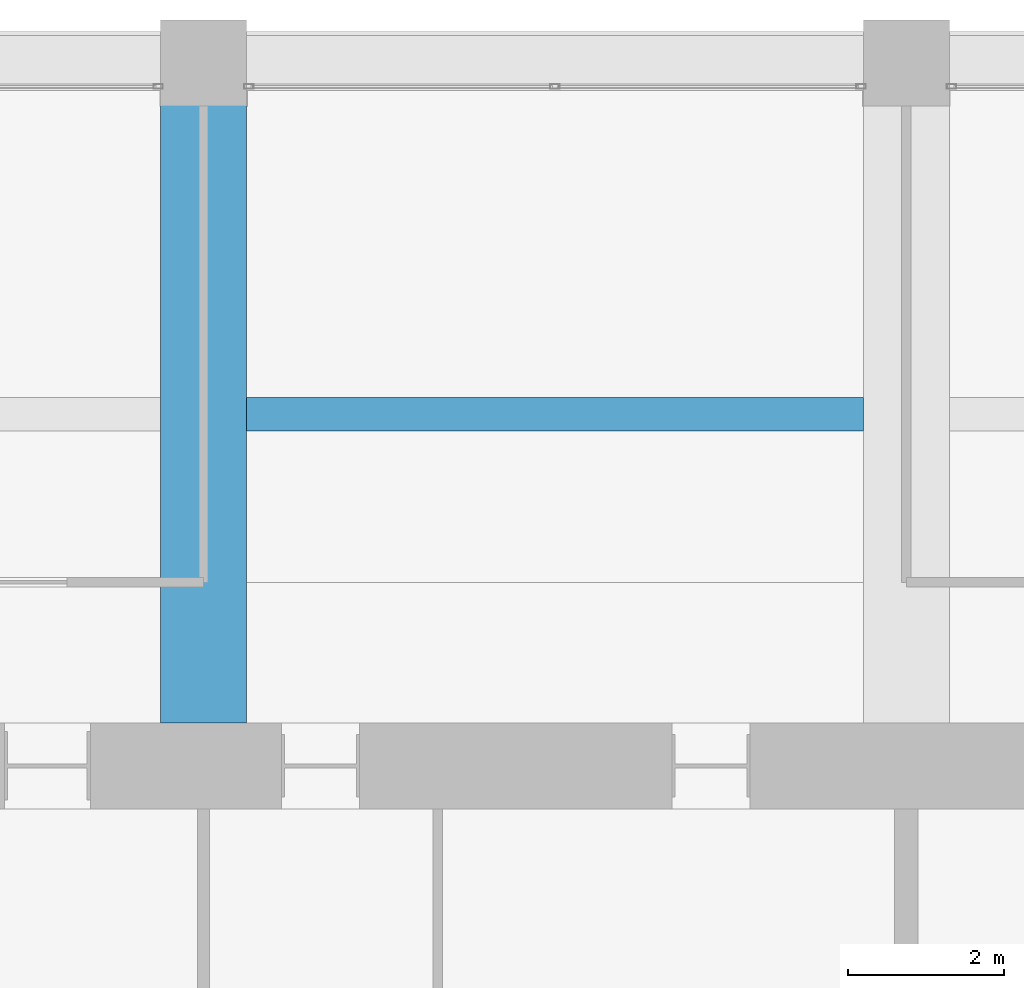
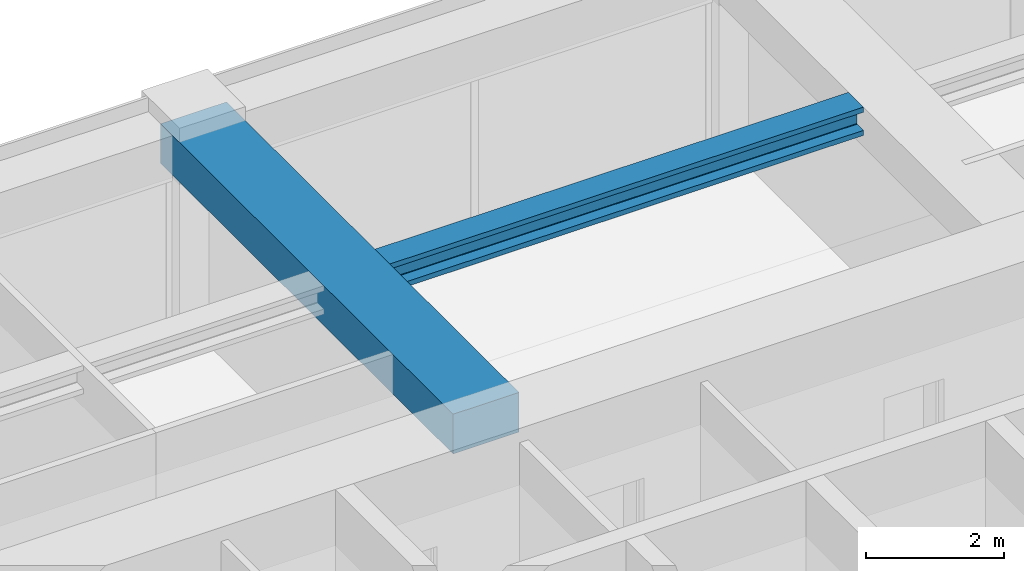
# One storey, part 32 of 44: 2 beams.
"""IFC4 building model written with IfcOpenShell, lengths in metres."""

from ifc_helpers import new_model, si_unit, direction, frame, origin, origin_2d, place, context, subcontext, project, spatial, rectangle, i_section, extrude, material, material_profile, profile_set, type_object, element, save


model = new_model("IFC4")

# Units and contexts
model_context = context("Model", 3, precision=1e-05, world=origin(), true_north=direction((0.0, 1.0)))
body_context = subcontext(model_context, "Body", "Model", "MODEL_VIEW")
ifc_project = project(units=[si_unit("LENGTHUNIT", "METRE"), si_unit("AREAUNIT", "SQUARE_METRE"), si_unit("VOLUMEUNIT", "CUBIC_METRE"), si_unit("PLANEANGLEUNIT", "RADIAN"), si_unit("MASSUNIT", "GRAM", prefix="KILO")], contexts=[model_context])

# Site, building, storey
site_placement = place(None, origin())
site = spatial("IfcSite", under=ifc_project, at=site_placement, CompositionType="ELEMENT")
building_placement = place(site_placement, origin())
building = spatial("IfcBuilding", under=site, at=building_placement, Name="Zorevar Civic Tower", CompositionType="ELEMENT")
storey_placement = place(building_placement, frame((0.0, 0.0, 283.39990234375)))
storey = spatial("IfcBuildingStorey", under=building, at=storey_placement, Name="L69", CompositionType="ELEMENT", Elevation=283.39990234375)

# Beams
ifc_material_1 = material(Name="Concrete C50/60", Category="concrete")
ifc_material_profile_1 = material_profile(ifc_material_1, rectangle(XDim=1.10009765625, YDim=0.699951171875, at=origin_2d()), Name="RC 1100x700")
ifc_profile_set_1 = profile_set([ifc_material_profile_1], Name="Concrete C50/60")
beam_type_1 = type_object("IfcBeamType", Name="Beam RC 1100x700", PredefinedType="BEAM", material=ifc_profile_set_1)
beam_1_placement = place(storey_placement, frame((27.0, 36.550048828125, 3.400146484375), z_axis=(0.0, 1.0, 0.0), x_axis=(-1.0, 0.0, 0.0)))
element("IfcBeam", 1, at=beam_1_placement, inside=storey, type_object=beam_type_1, Name="Girder L70", PredefinedType="BEAM", context=body_context, shape_type="SweptSolid", body=[
    extrude(rectangle(XDim=1.10009765625, YDim=0.699951171875, at=origin_2d()), origin(), (0.0, 0.0, 1.0), 8.449951171875),
])
ifc_material_2 = material(Name="Steel S460M (HISTAR 460)", Category="steel")
ifc_material_profile_2 = material_profile(ifc_material_2, i_section(OverallWidth=0.431884765625, OverallDepth=0.498046875, WebThickness=0.0556640625, FlangeThickness=0.0888671875, FilletRadius=0.014892578125, at=origin_2d()), Name="HD 400x744")
ifc_profile_set_2 = profile_set([ifc_material_profile_2], Name="Steel S460M (HISTAR 460)")
beam_type_2 = type_object("IfcBeamType", Name="Core bay beam HD 400x744", PredefinedType="BEAM", material=ifc_profile_set_2)
beam_2_placement = place(storey_placement, frame((27.550048828125, 40.5, 3.5009765625), z_axis=(1.0, 0.0, 0.0), x_axis=(0.0, 1.0, 0.0)))
element("IfcBeam", 2, at=beam_2_placement, inside=storey, type_object=beam_type_2, Name="Secondary beam L70", PredefinedType="BEAM", context=body_context, shape_type="SweptSolid", body=[
    extrude(i_section(OverallWidth=0.431884765625, OverallDepth=0.498046875, WebThickness=0.0556640625, FlangeThickness=0.0888671875, FilletRadius=0.014892578125, at=origin_2d()), origin(), (0.0, 0.0, 1.0), 7.89990234375),
])

save(model, "model.ifc")
